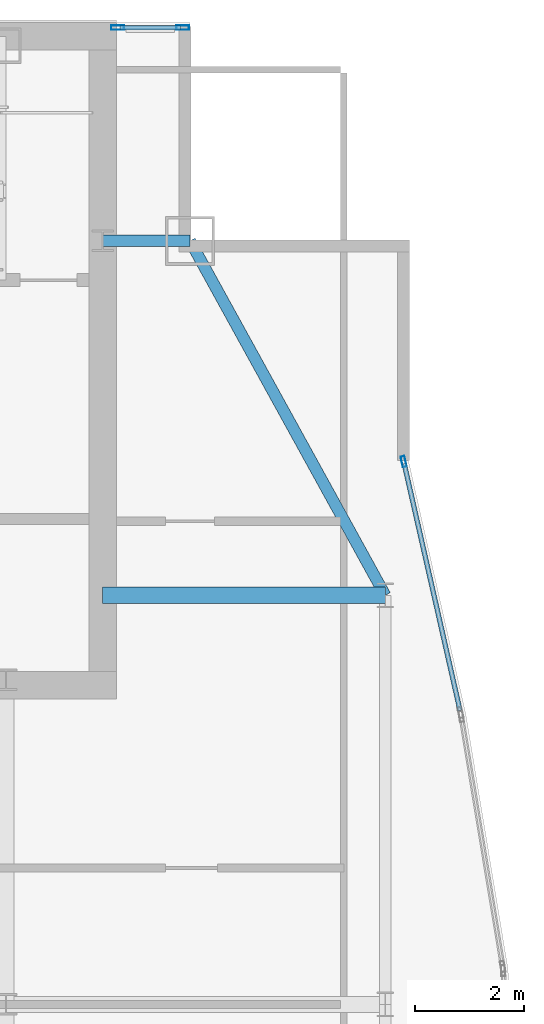
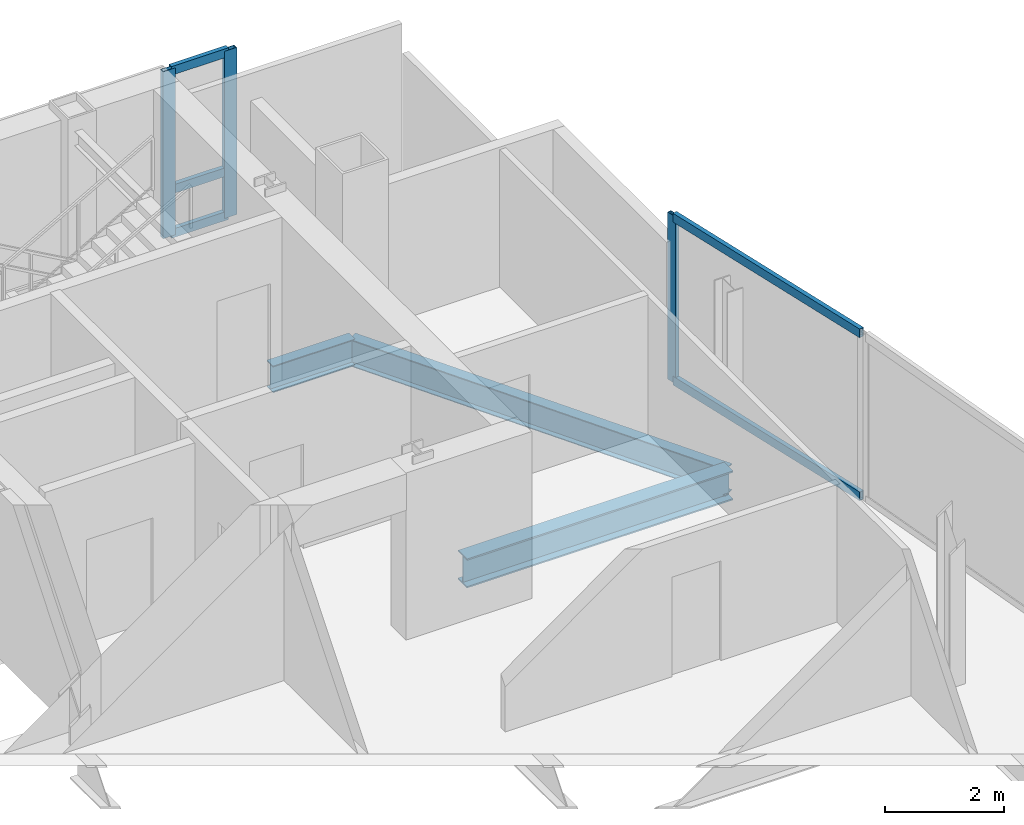
# One storey, part 22 of 29: 8 members, 3 beams, 2 elements without a shape of their own.
"""IFC4 building model written with IfcOpenShell, lengths in metres."""

from ifc_helpers import new_model, si_unit, direction, frame, origin, origin_2d, place, context, subcontext, project, spatial, hollow_rectangle, i_section, extrude, material, material_profile, profile_set, type_object, element, aggregate, save


model = new_model("IFC4")

# Units and contexts
model_context = context("Model", 3, precision=1e-05, world=origin(), true_north=direction((0.0, 1.0)))
body_context = subcontext(model_context, "Body", "Model", "MODEL_VIEW")
ifc_project = project(units=[si_unit("LENGTHUNIT", "METRE"), si_unit("AREAUNIT", "SQUARE_METRE"), si_unit("VOLUMEUNIT", "CUBIC_METRE"), si_unit("PLANEANGLEUNIT", "RADIAN"), si_unit("MASSUNIT", "GRAM", prefix="KILO")], contexts=[model_context])

# Site, building, storey
site_placement = place(None, origin())
site = spatial("IfcSite", under=ifc_project, at=site_placement, CompositionType="ELEMENT")
building_placement = place(site_placement, origin())
building = spatial("IfcBuilding", under=site, at=building_placement, Name="Khoronbel Lancet Exchange", CompositionType="ELEMENT")
storey_placement = place(building_placement, frame((0.0, 0.0, 318.199951171875)))
storey = spatial("IfcBuildingStorey", under=building, at=storey_placement, Name="L82", CompositionType="ELEMENT", Elevation=318.199951171875)

# Beams
ifc_material_1 = material(Name="Steel S355", Category="steel")
ifc_material_profile_1 = material_profile(ifc_material_1, i_section(OverallWidth=0.300048828125, OverallDepth=0.60009765625, WebThickness=0.015380859375, FlangeThickness=0.030029296875, at=origin_2d()), Name="HEB 600")
ifc_profile_set_1 = profile_set([ifc_material_profile_1], Name="Steel S355")
beam_type_1 = type_object("IfcBeamType", Name="BM-BG5", PredefinedType="BEAM", material=ifc_profile_set_1)
beam_1_placement = place(storey_placement, frame((56.449951171875, 43.199951171875, -0.4599609375), z_axis=(1.0, 0.0, 0.0), x_axis=(0.0, 1.0, 0.0)))
element("IfcBeam", 1, at=beam_1_placement, inside=storey, type_object=beam_type_1, Name="Level L82 east lens tie girder LG3E", PredefinedType="BEAM", context=body_context, shape_type="SweptSolid", body=[
    extrude(i_section(OverallWidth=0.300048828125, OverallDepth=0.60009765625, WebThickness=0.015380859375, FlangeThickness=0.030029296875, at=origin_2d()), origin(), (0.0, 0.0, 1.0), 5.179931640625),
])
ifc_material_profile_2 = material_profile(ifc_material_1, i_section(OverallWidth=0.2099609375, OverallDepth=0.550048828125, WebThickness=0.010986328125, FlangeThickness=0.01708984375, at=origin_2d()), Name="IPE 550")
ifc_profile_set_2 = profile_set([ifc_material_profile_2], Name="Steel S355")
beam_type_2 = type_object("IfcBeamType", Name="BM-BSP3", PredefinedType="SPANDREL", material=ifc_profile_set_2)
beam_2_placement = place(storey_placement, frame((61.6298828125, 43.199951171875, -0.43505859375), z_axis=(-0.482418808117, 0.875940690672, 0.0), x_axis=(-0.875940690672, -0.482418808117, 0.0)))
element("IfcBeam", 2, at=beam_2_placement, inside=storey, type_object=beam_type_2, Name="Level L82 perimeter spandrel beam SP13", PredefinedType="SPANDREL", context=body_context, shape_type="SweptSolid", body=[
    extrude(i_section(OverallWidth=0.2099609375, OverallDepth=0.550048828125, WebThickness=0.010986328125, FlangeThickness=0.01708984375, at=origin_2d()), origin(), (0.0, 0.0, 1.0), 7.420654296875),
])
beam_3_placement = place(storey_placement, frame((58.050048828125, 49.699951171875, -0.43505859375), z_axis=(-1.0, 0.0, 0.0), x_axis=(0.0, -1.0, 0.0)))
element("IfcBeam", 3, at=beam_3_placement, inside=storey, type_object=beam_type_2, Name="Level L82 north flank tie spandrel SP21", PredefinedType="SPANDREL", context=body_context, shape_type="SweptSolid", body=[
    extrude(i_section(OverallWidth=0.2099609375, OverallDepth=0.550048828125, WebThickness=0.010986328125, FlangeThickness=0.01708984375, at=origin_2d()), origin(), (0.0, 0.0, 1.0), 1.60009765625),
])

# Curtain wall, members
ifc_material_2 = material(Name="Low-E Solar Control Insulating Glass", Category="glass")
curtain_wall_type_1 = type_object("IfcCurtainWallType", Name="CW-3", PredefinedType="NOTDEFINED", material=ifc_material_2)
curtain_wall_1_placement = place(storey_placement, origin())
curtain_wall_1 = element("IfcCurtainWall", 4, at=curtain_wall_1_placement, inside=storey, type_object=curtain_wall_type_1, Name="Unitised curtain wall CW-L82-NEFLK", PredefinedType="NOTDEFINED")
ifc_material_3 = material(Name="Bronze-Anodised Aluminium 6063-T6", Category="aluminium")
ifc_material_profile_3 = material_profile(ifc_material_3, hollow_rectangle(XDim=0.0849609375, YDim=0.239990234375, WallThickness=0.006103515625, at=origin_2d()), Name="ALU MULLION 85x240")
ifc_profile_set_3 = profile_set([ifc_material_profile_3], Name="Bronze-Anodised Aluminium 6063-T6")
member_type_1 = type_object("IfcMemberType", Name="MEM-CWM1", PredefinedType="MULLION", material=ifc_profile_set_3)
member_1_placement = place(storey_placement, frame((57.91748046875, 53.610107421875, 0.0), z_axis=(0.0, 0.0, 1.0), x_axis=(0.0, -1.0, 0.0)))
member_1 = element("IfcMember", 5, at=member_1_placement, type_object=member_type_1, Name="CW3 mullion 1", PredefinedType="MULLION", context=body_context, shape_type="SweptSolid", body=[
    extrude(hollow_rectangle(XDim=0.0849609375, YDim=0.239990234375, WallThickness=0.006103515625, at=origin_2d()), origin(), (0.0, 0.0, 1.0), 3.43994140625),
])
member_2_placement = place(storey_placement, frame((56.722412109375, 53.610107421875, 0.0), z_axis=(0.0, 0.0, 1.0), x_axis=(0.0, -1.0, 0.0)))
member_2 = element("IfcMember", 6, at=member_2_placement, type_object=member_type_1, Name="CW3 mullion 2", PredefinedType="MULLION", context=body_context, shape_type="SweptSolid", body=[
    extrude(hollow_rectangle(XDim=0.0849609375, YDim=0.239990234375, WallThickness=0.006103515625, at=origin_2d()), origin(), (0.0, 0.0, 1.0), 3.43994140625),
])

# Curtain wall, member
curtain_wall_type_2 = type_object("IfcCurtainWallType", Name="CW-4", PredefinedType="NOTDEFINED", material=ifc_material_2)
curtain_wall_2_placement = place(storey_placement, origin())
curtain_wall_2 = element("IfcCurtainWall", 7, at=curtain_wall_2_placement, inside=storey, type_object=curtain_wall_type_2, Name="Unitised curtain wall CW-L82-E17", PredefinedType="NOTDEFINED")
ifc_material_profile_4 = material_profile(ifc_material_3, hollow_rectangle(XDim=0.074951171875, YDim=0.199951171875, WallThickness=0.0048828125, at=origin_2d()), Name="ALU MULLION 75x200")
ifc_profile_set_4 = profile_set([ifc_material_profile_4], Name="Bronze-Anodised Aluminium 6063-T6")
member_type_2 = type_object("IfcMemberType", Name="MEM-CWM2", PredefinedType="MULLION", material=ifc_profile_set_4)
member_3_placement = place(storey_placement, frame((61.96826171875, 45.6533203125, 0.0), z_axis=(0.0, 0.0, 1.0), x_axis=(0.975333138033, 0.220738011804, 0.0)))
member_3 = element("IfcMember", 8, at=member_3_placement, type_object=member_type_2, Name="CW4 mullion 1", PredefinedType="MULLION", context=body_context, shape_type="SweptSolid", body=[
    extrude(hollow_rectangle(XDim=0.074951171875, YDim=0.199951171875, WallThickness=0.0048828125, at=origin_2d()), origin(), (0.0, 0.0, 1.0), 3.43994140625),
])

# Member
ifc_material_profile_5 = material_profile(ifc_material_3, hollow_rectangle(XDim=0.0849609375, YDim=0.179931640625, WallThickness=0.0048828125, at=origin_2d()), Name="ALU TRANSOM 85x180")
ifc_profile_set_5 = profile_set([ifc_material_profile_5], Name="Bronze-Anodised Aluminium 6063-T6")
member_type_3 = type_object("IfcMemberType", Name="MEM-CWT1", PredefinedType="USERDEFINED", material=ifc_profile_set_5)
member_4_placement = place(storey_placement, frame((57.875, 53.610107421875, 0.04248046875), z_axis=(-1.0, 0.0, 0.0), x_axis=(0.0, -1.0, 0.0)))
member_4 = element("IfcMember", 9, at=member_4_placement, type_object=member_type_3, Name="CW3 transom 1.1", ObjectType="TRANSOM", PredefinedType="USERDEFINED", context=body_context, shape_type="SweptSolid", body=[
    extrude(hollow_rectangle(XDim=0.0849609375, YDim=0.179931640625, WallThickness=0.0048828125, at=origin_2d()), origin(), (0.0, 0.0, 1.0), 1.110107421875),
])

member_5_placement = place(storey_placement, frame((57.875, 53.610107421875, 0.949951171875), z_axis=(-1.0, 0.0, 0.0), x_axis=(0.0, -1.0, 0.0)))
member_5 = element("IfcMember", 10, at=member_5_placement, type_object=member_type_3, Name="CW3 transom 1.2", ObjectType="TRANSOM", PredefinedType="USERDEFINED", context=body_context, shape_type="SweptSolid", body=[
    extrude(hollow_rectangle(XDim=0.0849609375, YDim=0.179931640625, WallThickness=0.0048828125, at=origin_2d()), origin(), (0.0, 0.0, 1.0), 1.110107421875),
])

member_6_placement = place(storey_placement, frame((57.875, 53.610107421875, 3.3974609375), z_axis=(-1.0, 0.0, 0.0), x_axis=(0.0, -1.0, 0.0)))
member_6 = element("IfcMember", 11, at=member_6_placement, type_object=member_type_3, Name="CW3 transom 1.3", ObjectType="TRANSOM", PredefinedType="USERDEFINED", context=body_context, shape_type="SweptSolid", body=[
    extrude(hollow_rectangle(XDim=0.0849609375, YDim=0.179931640625, WallThickness=0.0048828125, at=origin_2d()), origin(), (0.0, 0.0, 1.0), 1.110107421875),
])

aggregate(curtain_wall_1, [member_1, member_2, member_4, member_5, member_6])

member_7_placement = place(storey_placement, frame((61.9765625, 45.61669921875, 0.04248046875), z_axis=(0.220732202652, -0.975334452746, 0.0), x_axis=(0.975334452746, 0.220732202652, 0.0)))
member_7 = element("IfcMember", 12, at=member_7_placement, type_object=member_type_3, Name="CW4 transom 1.1", ObjectType="TRANSOM", PredefinedType="USERDEFINED", context=body_context, shape_type="SweptSolid", body=[
    extrude(hollow_rectangle(XDim=0.0849609375, YDim=0.179931640625, WallThickness=0.0048828125, at=origin_2d()), origin(), (0.0, 0.0, 1.0), 4.64208984375),
])

member_8_placement = place(storey_placement, frame((61.9765625, 45.61669921875, 3.3974609375), z_axis=(0.220732202652, -0.975334452746, 0.0), x_axis=(0.975334452746, 0.220732202652, 0.0)))
member_8 = element("IfcMember", 13, at=member_8_placement, type_object=member_type_3, Name="CW4 transom 1.2", ObjectType="TRANSOM", PredefinedType="USERDEFINED", context=body_context, shape_type="SweptSolid", body=[
    extrude(hollow_rectangle(XDim=0.0849609375, YDim=0.179931640625, WallThickness=0.0048828125, at=origin_2d()), origin(), (0.0, 0.0, 1.0), 4.64208984375),
])

aggregate(curtain_wall_2, [member_3, member_7, member_8])

save(model, "model.ifc")
